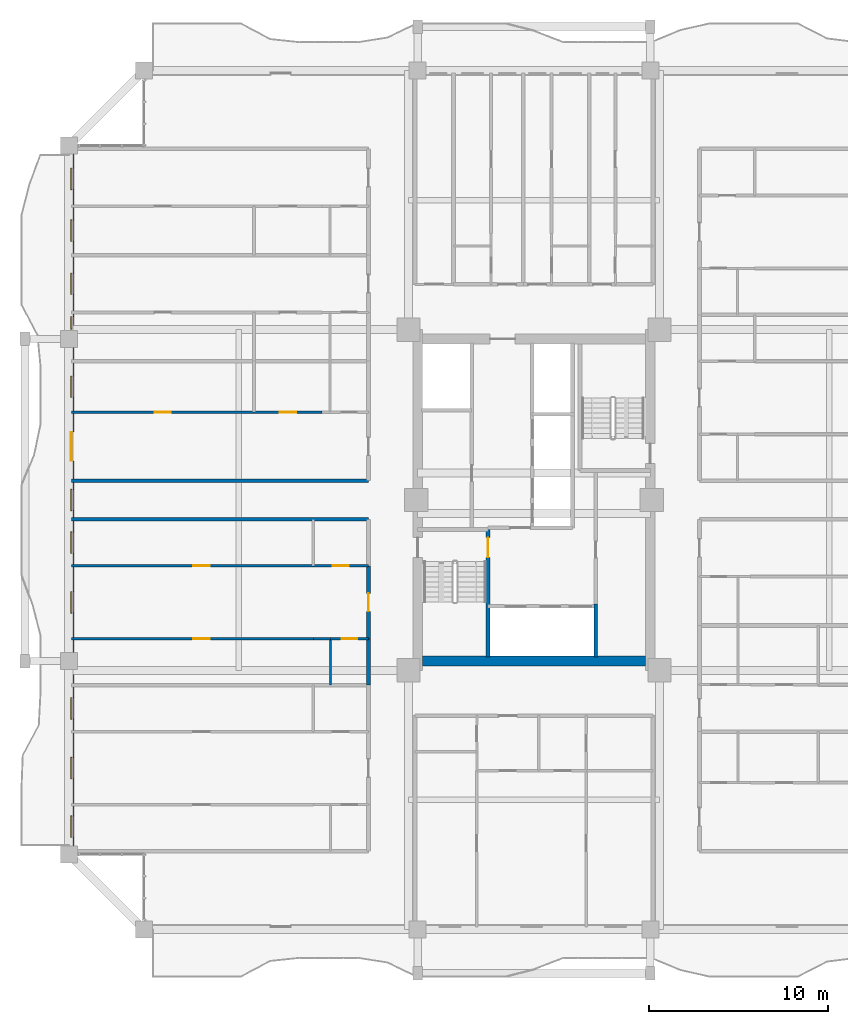
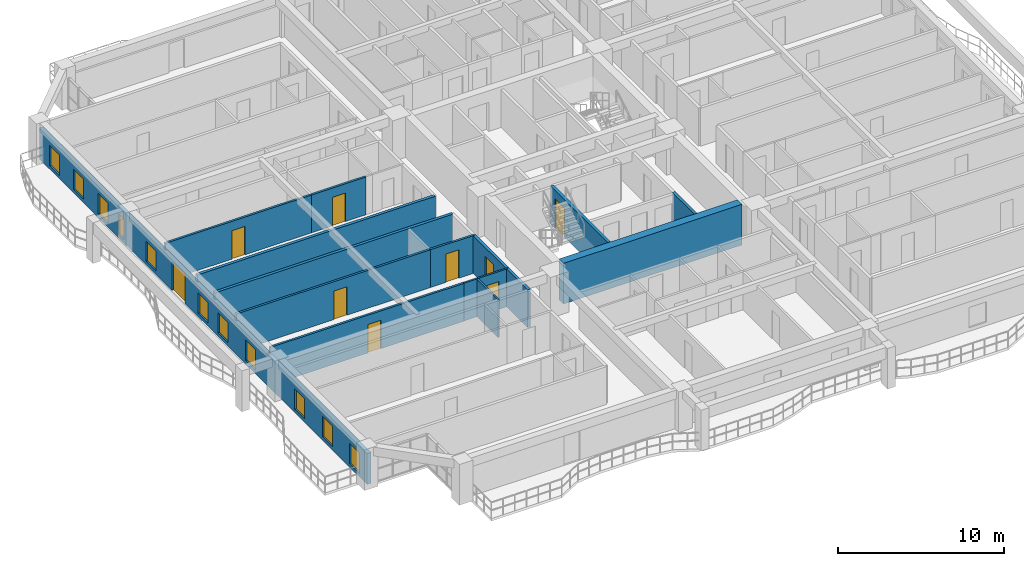
# One storey, part 15 of 26: 16 walls, 11 windows, 9 doors, 20 openings.
"""IFC4 building model written with IfcOpenShell, lengths in metres."""

from ifc_helpers import new_model, si_unit, direction, frame, frame_2d, origin, place, context, subcontext, project, spatial, rectangle, extrude, source, transform, mapped, material, layer, layer_set, type_object, element, fill, save


model = new_model("IFC4")

# Units and contexts
model_context = context("Model", 3, precision=1e-05, world=origin(), true_north=direction((0.0, 1.0)))
body_context = subcontext(model_context, "Body", "Model", "MODEL_VIEW")
ifc_project = project(units=[si_unit("LENGTHUNIT", "METRE"), si_unit("AREAUNIT", "SQUARE_METRE"), si_unit("VOLUMEUNIT", "CUBIC_METRE"), si_unit("PLANEANGLEUNIT", "RADIAN"), si_unit("MASSUNIT", "GRAM", prefix="KILO")], contexts=[model_context])

# Site, building, storey
site_placement = place(None, origin())
site = spatial("IfcSite", under=ifc_project, at=site_placement, CompositionType="ELEMENT")
building_placement = place(site_placement, origin())
building = spatial("IfcBuilding", under=site, at=building_placement, Name="Saelheon Loggia Tower", CompositionType="ELEMENT")
storey_placement = place(building_placement, frame((0.0, 0.0, 116.85009765625)))
storey = spatial("IfcBuildingStorey", under=building, at=storey_placement, Name="L37", CompositionType="ELEMENT", Elevation=116.85009765625)

# Wall
ifc_material_1 = material(Name="Concrete C50/60", Category="concrete")
ifc_layer_1 = layer(ifc_material_1, 0.550048828125)
ifc_layer_set_1 = layer_set([ifc_layer_1], Name="Concrete C50/60")
wall_type_1 = type_object("IfcWallType", Name="Wall_CoreShear_550", PredefinedType="SHEAR", material=ifc_layer_set_1)
wall_1_placement = place(storey_placement, frame((31.77490234375, 18.0, 0.0), z_axis=(0.0, 0.0, 1.0), x_axis=(1.0, 0.0, 0.0)))
element("IfcWall", 1, at=wall_1_placement, inside=storey, type_object=wall_type_1, Name="L37 Core Shear Wall South", PredefinedType="SHEAR", context=body_context, shape_type="SweptSolid", body=[
    extrude(rectangle(XDim=12.4501953125, YDim=0.550048828125, at=frame_2d((6.22509765625, 0.0))), origin(), (0.0, 0.0, 1.0), 3.0),
])

# Wall, openings, windows, door
ifc_material_2 = material(Name="Architectural Precast Concrete C40/50", Category="concrete")
ifc_layer_2 = layer(ifc_material_2, 0.280029296875)
ifc_layer_set_2 = layer_set([ifc_layer_2], Name="Architectural Precast Concrete C40/50")
wall_type_2 = type_object("IfcWallType", Name="Wall_Ext_Loggia_280", PredefinedType="SOLIDWALL", material=ifc_layer_set_2)
wall_2_placement = place(storey_placement, frame((12.139892578125, 7.199951171875, 0.0), z_axis=(0.0, 0.0, 1.0), x_axis=(0.0, 1.0, 0.0)))
wall_2 = element("IfcWall", 2, at=wall_2_placement, inside=storey, type_object=wall_type_2, Name="L37 West Loggia Inner Wall", PredefinedType="SOLIDWALL", context=body_context, shape_type="SweptSolid", body=[
    extrude(rectangle(XDim=39.60009765625, YDim=0.280029296875, at=frame_2d((19.800048828125, 0.0))), origin(), (0.0, 0.0, 1.0), 2.27978515625),
])
opening_1_placement = place(wall_2_placement, frame((0.9453125, 0.0, 0.25)))
opening_1 = element("IfcOpeningElement", 3, at=opening_1_placement, cuts=wall_2, Name="Opening WN-03", PredefinedType="OPENING", context=body_context, shape_type="SweptSolid", body=[
    extrude(rectangle(XDim=1.199951171875, YDim=1.5, at=frame_2d((0.60009765625, 0.75))), frame((0.0, 0.152099609375, 0.0), z_axis=(0.0, -1.0, 0.0), x_axis=(1.0, 0.0, 0.0)), (0.0, 0.0, 1.0), 0.303955078125),
])
opening_2_placement = place(wall_2_placement, frame((4.212890625, 0.0, 0.25)))
opening_2 = element("IfcOpeningElement", 4, at=opening_2_placement, cuts=wall_2, Name="Opening WN-03", PredefinedType="OPENING", context=body_context, shape_type="SweptSolid", body=[
    extrude(rectangle(XDim=1.199951171875, YDim=1.5, at=frame_2d((0.60009765625, 0.75))), frame((0.0, 0.152099609375, 0.0), z_axis=(0.0, -1.0, 0.0), x_axis=(1.0, 0.0, 0.0)), (0.0, 0.0, 1.0), 0.303955078125),
])
opening_3_placement = place(wall_2_placement, frame((7.550048828125, 0.0, 0.25)))
opening_3 = element("IfcOpeningElement", 5, at=opening_3_placement, cuts=wall_2, Name="Opening WN-03", PredefinedType="OPENING", context=body_context, shape_type="SweptSolid", body=[
    extrude(rectangle(XDim=1.199951171875, YDim=1.5, at=frame_2d((0.60009765625, 0.75))), frame((0.0, 0.152099609375, 0.0), z_axis=(0.0, -1.0, 0.0), x_axis=(1.0, 0.0, 0.0)), (0.0, 0.0, 1.0), 0.303955078125),
])
opening_4_placement = place(wall_2_placement, frame((13.48291015625, 0.0, 0.25)))
opening_4 = element("IfcOpeningElement", 6, at=opening_4_placement, cuts=wall_2, Name="Opening WN-03", PredefinedType="OPENING", context=body_context, shape_type="SweptSolid", body=[
    extrude(rectangle(XDim=1.199951171875, YDim=1.5, at=frame_2d((0.60009765625, 0.75))), frame((0.0, 0.152099609375, 0.0), z_axis=(0.0, -1.0, 0.0), x_axis=(1.0, 0.0, 0.0)), (0.0, 0.0, 1.0), 0.303955078125),
])
opening_5_placement = place(wall_2_placement, frame((16.820068359375, 0.0, 0.25)))
opening_5 = element("IfcOpeningElement", 7, at=opening_5_placement, cuts=wall_2, Name="Opening WN-03", PredefinedType="OPENING", context=body_context, shape_type="SweptSolid", body=[
    extrude(rectangle(XDim=1.199951171875, YDim=1.5, at=frame_2d((0.60009765625, 0.75))), frame((0.0, 0.152099609375, 0.0), z_axis=(0.0, -1.0, 0.0), x_axis=(1.0, 0.0, 0.0)), (0.0, 0.0, 1.0), 0.303955078125),
])
opening_6_placement = place(wall_2_placement, frame((19.199951171875, 0.0, 0.25)))
opening_6 = element("IfcOpeningElement", 8, at=opening_6_placement, cuts=wall_2, Name="Opening WN-03", PredefinedType="OPENING", context=body_context, shape_type="SweptSolid", body=[
    extrude(rectangle(XDim=1.199951171875, YDim=1.5, at=frame_2d((0.60009765625, 0.75))), frame((0.0, 0.152099609375, 0.0), z_axis=(0.0, -1.0, 0.0), x_axis=(1.0, 0.0, 0.0)), (0.0, 0.0, 1.0), 0.303955078125),
])
opening_7_placement = place(wall_2_placement, frame((21.9921875, 0.0, 0.0)))
opening_7 = element("IfcOpeningElement", 9, at=opening_7_placement, cuts=wall_2, Name="Opening DLG-1", PredefinedType="OPENING", context=body_context, shape_type="SweptSolid", body=[
    extrude(rectangle(XDim=1.60009765625, YDim=2.14990234375, at=frame_2d((0.800048828125, 1.074951171875))), frame((0.0, 0.152099609375, 0.0), z_axis=(0.0, -1.0, 0.0), x_axis=(1.0, 0.0, 0.0)), (0.0, 0.0, 1.0), 0.303955078125),
])
opening_8_placement = place(wall_2_placement, frame((25.529296875, 0.0, 0.25)))
opening_8 = element("IfcOpeningElement", 10, at=opening_8_placement, cuts=wall_2, Name="Opening WN-03", PredefinedType="OPENING", context=body_context, shape_type="SweptSolid", body=[
    extrude(rectangle(XDim=1.199951171875, YDim=1.5, at=frame_2d((0.60009765625, 0.75))), frame((0.0, 0.152099609375, 0.0), z_axis=(0.0, -1.0, 0.0), x_axis=(1.0, 0.0, 0.0)), (0.0, 0.0, 1.0), 0.303955078125),
])
opening_9_placement = place(wall_2_placement, frame((29.34912109375, 0.0, 0.25)))
opening_9 = element("IfcOpeningElement", 11, at=opening_9_placement, cuts=wall_2, Name="Opening WN-06", PredefinedType="OPENING", context=body_context, shape_type="SweptSolid", body=[
    extrude(rectangle(XDim=0.699951171875, YDim=1.5, at=frame_2d((0.35009765625, 0.75))), frame((0.0, 0.152099609375, 0.0), z_axis=(0.0, -1.0, 0.0), x_axis=(1.0, 0.0, 0.0)), (0.0, 0.0, 1.0), 0.303955078125),
])
opening_10_placement = place(wall_2_placement, frame((31.285400390625, 0.0, 0.25)))
opening_10 = element("IfcOpeningElement", 12, at=opening_10_placement, cuts=wall_2, Name="Opening WN-03", PredefinedType="OPENING", context=body_context, shape_type="SweptSolid", body=[
    extrude(rectangle(XDim=1.199951171875, YDim=1.5, at=frame_2d((0.60009765625, 0.75))), frame((0.0, 0.152099609375, 0.0), z_axis=(0.0, -1.0, 0.0), x_axis=(1.0, 0.0, 0.0)), (0.0, 0.0, 1.0), 0.303955078125),
])
opening_11_placement = place(wall_2_placement, frame((34.251708984375, 0.0, 0.25)))
opening_11 = element("IfcOpeningElement", 13, at=opening_11_placement, cuts=wall_2, Name="Opening WN-03", PredefinedType="OPENING", context=body_context, shape_type="SweptSolid", body=[
    extrude(rectangle(XDim=1.199951171875, YDim=1.5, at=frame_2d((0.60009765625, 0.75))), frame((0.0, 0.152099609375, 0.0), z_axis=(0.0, -1.0, 0.0), x_axis=(1.0, 0.0, 0.0)), (0.0, 0.0, 1.0), 0.303955078125),
])
opening_12_placement = place(wall_2_placement, frame((37.150634765625, 0.0, 0.25)))
opening_12 = element("IfcOpeningElement", 14, at=opening_12_placement, cuts=wall_2, Name="Opening WN-03", PredefinedType="OPENING", context=body_context, shape_type="SweptSolid", body=[
    extrude(rectangle(XDim=1.199951171875, YDim=1.5, at=frame_2d((0.60009765625, 0.75))), frame((0.0, 0.152099609375, 0.0), z_axis=(0.0, -1.0, 0.0), x_axis=(1.0, 0.0, 0.0)), (0.0, 0.0, 1.0), 0.303955078125),
])
ifc_material_3 = material(Name="Thermal-Break Aluminium and Triple Low-E Glass", Category="aluminium")
window_type_1 = type_object("IfcWindowType", Name="Win_Slot_700x1500", PartitioningType="SINGLE_PANEL", PredefinedType="WINDOW", material=ifc_material_3)
shared_shape_1 = source(origin(), body_context, "Body", "SweptSolid", [
    extrude(rectangle(XDim=0.699951171875, YDim=1.5, at=frame_2d((0.35009765625, 0.75))), frame((0.0, 0.030029296875, 0.0), z_axis=(0.0, -1.0, 0.0), x_axis=(1.0, 0.0, 0.0)), (0.0, 0.0, 1.0), 0.06005859375),
])
window_1_placement = place(opening_9_placement, origin())
window_1 = element("IfcWindow", 15, at=window_1_placement, inside=storey, type_object=window_type_1, Name="L37 W Dwelling Window 9", OverallHeight=1.5, OverallWidth=0.699951171875, PartitioningType="SINGLE_PANEL", PredefinedType="WINDOW", context=body_context, shape_type="MappedRepresentation", body=[
    mapped(shared_shape_1, transform((0.0, 0.0, 0.0), scale=1.0)),
])
fill(opening_9, window_1)
window_type_2 = type_object("IfcWindowType", Name="Win_Bedroom_1200x1500", PartitioningType="SINGLE_PANEL", PredefinedType="WINDOW", material=ifc_material_3)
shared_shape_2 = source(origin(), body_context, "Body", "SweptSolid", [
    extrude(rectangle(XDim=1.199951171875, YDim=1.5, at=frame_2d((0.60009765625, 0.75))), frame((0.0, 0.030029296875, 0.0), z_axis=(0.0, -1.0, 0.0), x_axis=(1.0, 0.0, 0.0)), (0.0, 0.0, 1.0), 0.06005859375),
])
window_2_placement = place(opening_1_placement, origin())
window_2 = element("IfcWindow", 16, at=window_2_placement, inside=storey, type_object=window_type_2, Name="L37 W Dwelling Window 1", OverallHeight=1.5, OverallWidth=1.199951171875, PartitioningType="SINGLE_PANEL", PredefinedType="WINDOW", context=body_context, shape_type="MappedRepresentation", body=[
    mapped(shared_shape_2, transform((0.0, 0.0, 0.0), scale=1.0)),
])
fill(opening_1, window_2)
window_3_placement = place(opening_2_placement, origin())
window_3 = element("IfcWindow", 17, at=window_3_placement, inside=storey, type_object=window_type_2, Name="L37 W Dwelling Window 2", OverallHeight=1.5, OverallWidth=1.199951171875, PartitioningType="SINGLE_PANEL", PredefinedType="WINDOW", context=body_context, shape_type="MappedRepresentation", body=[
    mapped(shared_shape_2, transform((0.0, 0.0, 0.0), scale=1.0)),
])
fill(opening_2, window_3)
window_4_placement = place(opening_3_placement, origin())
window_4 = element("IfcWindow", 18, at=window_4_placement, inside=storey, type_object=window_type_2, Name="L37 W Dwelling Window 3", OverallHeight=1.5, OverallWidth=1.199951171875, PartitioningType="SINGLE_PANEL", PredefinedType="WINDOW", context=body_context, shape_type="MappedRepresentation", body=[
    mapped(shared_shape_2, transform((0.0, 0.0, 0.0), scale=1.0)),
])
fill(opening_3, window_4)
window_5_placement = place(opening_4_placement, origin())
window_5 = element("IfcWindow", 19, at=window_5_placement, inside=storey, type_object=window_type_2, Name="L37 W Dwelling Window 4", OverallHeight=1.5, OverallWidth=1.199951171875, PartitioningType="SINGLE_PANEL", PredefinedType="WINDOW", context=body_context, shape_type="MappedRepresentation", body=[
    mapped(shared_shape_2, transform((0.0, 0.0, 0.0), scale=1.0)),
])
fill(opening_4, window_5)
window_6_placement = place(opening_5_placement, origin())
window_6 = element("IfcWindow", 20, at=window_6_placement, inside=storey, type_object=window_type_2, Name="L37 W Dwelling Window 5", OverallHeight=1.5, OverallWidth=1.199951171875, PartitioningType="SINGLE_PANEL", PredefinedType="WINDOW", context=body_context, shape_type="MappedRepresentation", body=[
    mapped(shared_shape_2, transform((0.0, 0.0, 0.0), scale=1.0)),
])
fill(opening_5, window_6)
window_7_placement = place(opening_6_placement, origin())
window_7 = element("IfcWindow", 21, at=window_7_placement, inside=storey, type_object=window_type_2, Name="L37 W Dwelling Window 6", OverallHeight=1.5, OverallWidth=1.199951171875, PartitioningType="SINGLE_PANEL", PredefinedType="WINDOW", context=body_context, shape_type="MappedRepresentation", body=[
    mapped(shared_shape_2, transform((0.0, 0.0, 0.0), scale=1.0)),
])
fill(opening_6, window_7)
window_8_placement = place(opening_8_placement, origin())
window_8 = element("IfcWindow", 22, at=window_8_placement, inside=storey, type_object=window_type_2, Name="L37 W Dwelling Window 8", OverallHeight=1.5, OverallWidth=1.199951171875, PartitioningType="SINGLE_PANEL", PredefinedType="WINDOW", context=body_context, shape_type="MappedRepresentation", body=[
    mapped(shared_shape_2, transform((0.0, 0.0, 0.0), scale=1.0)),
])
fill(opening_8, window_8)
window_9_placement = place(opening_10_placement, origin())
window_9 = element("IfcWindow", 23, at=window_9_placement, inside=storey, type_object=window_type_2, Name="L37 W Dwelling Window 10", OverallHeight=1.5, OverallWidth=1.199951171875, PartitioningType="SINGLE_PANEL", PredefinedType="WINDOW", context=body_context, shape_type="MappedRepresentation", body=[
    mapped(shared_shape_2, transform((0.0, 0.0, 0.0), scale=1.0)),
])
fill(opening_10, window_9)
window_10_placement = place(opening_11_placement, origin())
window_10 = element("IfcWindow", 24, at=window_10_placement, inside=storey, type_object=window_type_2, Name="L37 W Dwelling Window 11", OverallHeight=1.5, OverallWidth=1.199951171875, PartitioningType="SINGLE_PANEL", PredefinedType="WINDOW", context=body_context, shape_type="MappedRepresentation", body=[
    mapped(shared_shape_2, transform((0.0, 0.0, 0.0), scale=1.0)),
])
fill(opening_11, window_10)
window_11_placement = place(opening_12_placement, origin())
window_11 = element("IfcWindow", 25, at=window_11_placement, inside=storey, type_object=window_type_2, Name="L37 W Dwelling Window 12", OverallHeight=1.5, OverallWidth=1.199951171875, PartitioningType="SINGLE_PANEL", PredefinedType="WINDOW", context=body_context, shape_type="MappedRepresentation", body=[
    mapped(shared_shape_2, transform((0.0, 0.0, 0.0), scale=1.0)),
])
fill(opening_12, window_11)
ifc_material_4 = material(Name="Thermal-Break Aluminium Sliding Glazed Door", Category="aluminium")
door_type_1 = type_object("IfcDoorType", Name="Door_LoggiaSlide_1600", OperationType="SLIDING_TO_LEFT", PredefinedType="DOOR", material=ifc_material_4)
shared_shape_3 = source(origin(), body_context, "Body", "SweptSolid", [
    extrude(rectangle(XDim=1.60009765625, YDim=2.14990234375, at=frame_2d((0.800048828125, 1.074951171875))), frame((0.0, 0.02490234375, 0.0), z_axis=(0.0, -1.0, 0.0), x_axis=(1.0, 0.0, 0.0)), (0.0, 0.0, 1.0), 0.050048828125),
])
door_1_placement = place(opening_7_placement, origin())
door_1 = element("IfcDoor", 26, at=door_1_placement, inside=storey, type_object=door_type_1, Name="L37 W Loggia Access Door", OperationType="SLIDING_TO_LEFT", OverallHeight=2.14990234375, OverallWidth=1.60009765625, PredefinedType="DOOR", context=body_context, shape_type="MappedRepresentation", body=[
    mapped(shared_shape_3, transform((0.0, 0.0, 0.0), scale=1.0)),
])
fill(opening_7, door_1)

# Wall, opening, door
ifc_material_5 = material(Name="Lightweight Autoclaved Aerated Concrete Block and Acoustic Gypsum", Category="concrete")
ifc_layer_3 = layer(ifc_material_5, 0.14990234375)
ifc_layer_set_3 = layer_set([ifc_layer_3], Name="Lightweight Autoclaved Aerated Concrete Block and Acoustic Gypsum")
wall_type_3 = type_object("IfcWallType", Name="Wall_Part_150", PredefinedType="PARTITIONING", material=ifc_layer_set_3)
wall_3_placement = place(storey_placement, frame((25.669921875, 19.24560546875, 0.0), z_axis=(0.0, 0.0, 1.0), x_axis=(-1.0, 0.0, 0.0)))
wall_3 = element("IfcWall", 27, at=wall_3_placement, inside=storey, type_object=wall_type_3, Name="L37 WS Partition U21", PredefinedType="PARTITIONING", context=body_context, shape_type="SweptSolid", body=[
    extrude(rectangle(XDim=13.52001953125, YDim=0.14990234375, at=frame_2d((6.760009765625, 0.0))), origin(), (0.0, 0.0, 1.0), 2.789794921875),
])
opening_13_placement = place(wall_3_placement, frame((5.80419921875, 0.0, 0.0)))
opening_13 = element("IfcOpeningElement", 28, at=opening_13_placement, cuts=wall_3, Name="Opening D-IN2", PredefinedType="OPENING", context=body_context, shape_type="SweptSolid", body=[
    extrude(rectangle(XDim=0.89990234375, YDim=2.10009765625, at=frame_2d((0.449951171875, 1.050048828125))), frame((0.0, 0.0869140625, 0.0), z_axis=(0.0, -1.0, 0.0), x_axis=(1.0, 0.0, 0.0)), (0.0, 0.0, 1.0), 0.173828125),
])
ifc_material_6 = material(Name="Engineered Oak Flush Door", Category="timber")
door_type_2 = type_object("IfcDoorType", Name="Door_Int_900", OperationType="NOTDEFINED", PredefinedType="DOOR", material=ifc_material_6)
shared_shape_4 = source(origin(), body_context, "Body", "SweptSolid", [
    extrude(rectangle(XDim=0.89990234375, YDim=2.10009765625, at=frame_2d((0.449951171875, 1.050048828125))), frame((0.0, 0.02490234375, 0.0), z_axis=(0.0, -1.0, 0.0), x_axis=(1.0, 0.0, 0.0)), (0.0, 0.0, 1.0), 0.050048828125),
])
door_2_placement = place(opening_13_placement, origin())
door_2 = element("IfcDoor", 29, at=door_2_placement, inside=storey, type_object=door_type_2, Name="Unit U06 Kitchen Door", OperationType="SINGLE_SWING_RIGHT", OverallHeight=2.10009765625, OverallWidth=0.89990234375, PredefinedType="DOOR", context=body_context, shape_type="MappedRepresentation", body=[
    mapped(shared_shape_4, transform((0.0, 0.0, 0.0), scale=1.0)),
])
fill(opening_13, door_2)

wall_4_placement = place(storey_placement, frame((28.75, 23.320068359375, 0.0), z_axis=(0.0, 0.0, 1.0), x_axis=(-1.0, 0.0, 0.0)))
wall_4 = element("IfcWall", 30, at=wall_4_placement, inside=storey, type_object=wall_type_3, Name="L37 WS Partition U22", PredefinedType="PARTITIONING", context=body_context, shape_type="SweptSolid", body=[
    extrude(rectangle(XDim=3.080078125, YDim=0.14990234375, at=frame_2d((1.5400390625, 0.0))), origin(), (0.0, 0.0, 1.0), 2.789794921875),
])
opening_14_placement = place(wall_4_placement, frame((1.090087890625, 0.0, 0.0)))
opening_14 = element("IfcOpeningElement", 31, at=opening_14_placement, cuts=wall_4, Name="Opening D-IN2", PredefinedType="OPENING", context=body_context, shape_type="SweptSolid", body=[
    extrude(rectangle(XDim=0.89990234375, YDim=2.10009765625, at=frame_2d((0.449951171875, 1.050048828125))), frame((0.0, 0.0869140625, 0.0), z_axis=(0.0, -1.0, 0.0), x_axis=(1.0, 0.0, 0.0)), (0.0, 0.0, 1.0), 0.173828125),
])
door_3_placement = place(opening_14_placement, origin())
door_3 = element("IfcDoor", 32, at=door_3_placement, inside=storey, type_object=door_type_2, Name="Unit U06 Dressing Closet Door", OperationType="SINGLE_SWING_LEFT", OverallHeight=2.10009765625, OverallWidth=0.89990234375, PredefinedType="DOOR", context=body_context, shape_type="MappedRepresentation", body=[
    mapped(shared_shape_4, transform((0.0, 0.0, 0.0), scale=1.0)),
])
fill(opening_14, door_3)

wall_5_placement = place(storey_placement, frame((25.669921875, 23.320068359375, 0.0), z_axis=(0.0, 0.0, 1.0), x_axis=(-1.0, 0.0, 0.0)))
wall_5 = element("IfcWall", 33, at=wall_5_placement, inside=storey, type_object=wall_type_3, Name="L37 WS Partition U23", PredefinedType="PARTITIONING", context=body_context, shape_type="SweptSolid", body=[
    extrude(rectangle(XDim=13.52001953125, YDim=0.14990234375, at=frame_2d((6.760009765625, 0.0))), origin(), (0.0, 0.0, 1.0), 2.789794921875),
])
opening_15_placement = place(wall_5_placement, frame((5.80419921875, 0.0, 0.0)))
opening_15 = element("IfcOpeningElement", 34, at=opening_15_placement, cuts=wall_5, Name="Opening D-IN2", PredefinedType="OPENING", context=body_context, shape_type="SweptSolid", body=[
    extrude(rectangle(XDim=0.89990234375, YDim=2.10009765625, at=frame_2d((0.449951171875, 1.050048828125))), frame((0.0, 0.0869140625, 0.0), z_axis=(0.0, -1.0, 0.0), x_axis=(1.0, 0.0, 0.0)), (0.0, 0.0, 1.0), 0.173828125),
])
door_4_placement = place(opening_15_placement, origin())
door_4 = element("IfcDoor", 35, at=door_4_placement, inside=storey, type_object=door_type_2, Name="Unit U06 Bedroom 1 Door", OperationType="SINGLE_SWING_RIGHT", OverallHeight=2.10009765625, OverallWidth=0.89990234375, PredefinedType="DOOR", context=body_context, shape_type="MappedRepresentation", body=[
    mapped(shared_shape_4, transform((0.0, 0.0, 0.0), scale=1.0)),
])
fill(opening_15, door_4)

wall_6_placement = place(storey_placement, frame((26.14990234375, 31.904296875, 0.0), z_axis=(0.0, 0.0, 1.0), x_axis=(-1.0, 0.0, 0.0)))
wall_6 = element("IfcWall", 36, at=wall_6_placement, inside=storey, type_object=wall_type_3, Name="L37 WN Partition U09", PredefinedType="PARTITIONING", context=body_context, shape_type="SweptSolid", body=[
    extrude(rectangle(XDim=3.7998046875, YDim=0.14990234375, at=frame_2d((1.89990234375, 0.0))), origin(), (0.0, 0.0, 1.0), 2.789794921875),
])
opening_16_placement = place(wall_6_placement, frame((1.449951171875, 0.0, 0.0)))
opening_16 = element("IfcOpeningElement", 37, at=opening_16_placement, cuts=wall_6, Name="Opening D-IN2", PredefinedType="OPENING", context=body_context, shape_type="SweptSolid", body=[
    extrude(rectangle(XDim=0.89990234375, YDim=2.10009765625, at=frame_2d((0.449951171875, 1.050048828125))), frame((0.0, 0.0869140625, 0.0), z_axis=(0.0, -1.0, 0.0), x_axis=(1.0, 0.0, 0.0)), (0.0, 0.0, 1.0), 0.173828125),
])
door_5_placement = place(opening_16_placement, origin())
door_5 = element("IfcDoor", 38, at=door_5_placement, inside=storey, type_object=door_type_2, Name="Unit U07 Kitchen Door", OperationType="SINGLE_SWING_LEFT", OverallHeight=2.10009765625, OverallWidth=0.89990234375, PredefinedType="DOOR", context=body_context, shape_type="MappedRepresentation", body=[
    mapped(shared_shape_4, transform((0.0, 0.0, 0.0), scale=1.0)),
])
fill(opening_16, door_5)

wall_7_placement = place(storey_placement, frame((22.35009765625, 31.904296875, 0.0), z_axis=(0.0, 0.0, 1.0), x_axis=(-1.0, 0.0, 0.0)))
wall_7 = element("IfcWall", 39, at=wall_7_placement, inside=storey, type_object=wall_type_3, Name="L37 WN Partition U10", PredefinedType="PARTITIONING", context=body_context, shape_type="SweptSolid", body=[
    extrude(rectangle(XDim=10.2001953125, YDim=0.14990234375, at=frame_2d((5.10009765625, 0.0))), origin(), (0.0, 0.0, 1.0), 2.789794921875),
])
opening_17_placement = place(wall_7_placement, frame((4.64990234375, 0.0, 0.0)))
opening_17 = element("IfcOpeningElement", 40, at=opening_17_placement, cuts=wall_7, Name="Opening D-IN2", PredefinedType="OPENING", context=body_context, shape_type="SweptSolid", body=[
    extrude(rectangle(XDim=0.89990234375, YDim=2.10009765625, at=frame_2d((0.449951171875, 1.050048828125))), frame((0.0, 0.0869140625, 0.0), z_axis=(0.0, -1.0, 0.0), x_axis=(1.0, 0.0, 0.0)), (0.0, 0.0, 1.0), 0.173828125),
])
door_6_placement = place(opening_17_placement, origin())
door_6 = element("IfcDoor", 41, at=door_6_placement, inside=storey, type_object=door_type_2, Name="Unit U07 Bedroom 1 Door", OperationType="SINGLE_SWING_RIGHT", OverallHeight=2.10009765625, OverallWidth=0.89990234375, PredefinedType="DOOR", context=body_context, shape_type="MappedRepresentation", body=[
    mapped(shared_shape_4, transform((0.0, 0.0, 0.0), scale=1.0)),
])
fill(opening_17, door_6)

# Walls
ifc_material_7 = material(Name="Double Acoustic Stud and Fireboard Partition", Category="gypsum")
ifc_layer_4 = layer(ifc_material_7, 0.199951171875)
ifc_layer_set_4 = layer_set([ifc_layer_4], Name="Double Acoustic Stud and Fireboard Partition")
wall_type_4 = type_object("IfcWallType", Name="Wall_Party_200", PredefinedType="PARTITIONING", material=ifc_layer_set_4)
wall_8_placement = place(storey_placement, frame((28.75, 25.919921875, 0.0), z_axis=(0.0, 0.0, 1.0), x_axis=(-1.0, 0.0, 0.0)))
element("IfcWall", 42, at=wall_8_placement, inside=storey, type_object=wall_type_4, Name="L37 WS Partition U02", PredefinedType="PARTITIONING", context=body_context, shape_type="SweptSolid", body=[
    extrude(rectangle(XDim=16.60009765625, YDim=0.199951171875, at=frame_2d((8.300048828125, 0.0))), origin(), (0.0, 0.0, 1.0), 2.789794921875),
])
wall_9_placement = place(storey_placement, frame((28.75, 16.64990234375, 0.0), z_axis=(0.0, 0.0, 1.0), x_axis=(0.0, 1.0, 0.0)))
element("IfcWall", 43, at=wall_9_placement, inside=storey, type_object=wall_type_4, Name="L37 WS Partition V14", PredefinedType="PARTITIONING", context=body_context, shape_type="SweptSolid", body=[
    extrude(rectangle(XDim=2.595703125, YDim=0.199951171875, at=frame_2d((1.2978515625, 0.0))), origin(), (0.0, 0.0, 1.0), 2.789794921875),
])

# Wall, opening, door
wall_10_placement = place(storey_placement, frame((28.75, 19.24560546875, 0.0), z_axis=(0.0, 0.0, 1.0), x_axis=(0.0, 1.0, 0.0)))
wall_10 = element("IfcWall", 44, at=wall_10_placement, inside=storey, type_object=wall_type_4, Name="L37 WS Partition V15", PredefinedType="PARTITIONING", context=body_context, shape_type="SweptSolid", body=[
    extrude(rectangle(XDim=4.074462890625, YDim=0.199951171875, at=frame_2d((2.037109375, 0.0))), origin(), (0.0, 0.0, 1.0), 2.789794921875),
])
opening_18_placement = place(wall_10_placement, frame((1.537109375, 0.0, 0.0)))
opening_18 = element("IfcOpeningElement", 45, at=opening_18_placement, cuts=wall_10, Name="Opening D-FD1", PredefinedType="OPENING", context=body_context, shape_type="SweptSolid", body=[
    extrude(rectangle(XDim=1.0, YDim=2.14990234375, at=frame_2d((0.5, 1.074951171875))), frame((0.0, 0.112060546875, 0.0), z_axis=(0.0, -1.0, 0.0), x_axis=(1.0, 0.0, 0.0)), (0.0, 0.0, 1.0), 0.223876953125),
])
ifc_material_8 = material(Name="Fire-Rated Engineered Timber Entrance Door", Category="wood")
door_type_3 = type_object("IfcDoorType", Name="Door_Flat_FD30S", OperationType="NOTDEFINED", PredefinedType="DOOR", material=ifc_material_8)
shared_shape_5 = source(origin(), body_context, "Body", "SweptSolid", [
    extrude(rectangle(XDim=1.0, YDim=2.14990234375, at=frame_2d((0.5, 1.074951171875))), frame((0.0, 0.02490234375, 0.0), z_axis=(0.0, -1.0, 0.0), x_axis=(1.0, 0.0, 0.0)), (0.0, 0.0, 1.0), 0.050048828125),
])
door_7_placement = place(opening_18_placement, origin())
door_7 = element("IfcDoor", 46, at=door_7_placement, inside=storey, type_object=door_type_3, Name="Unit U06 Entrance Door", OperationType="SINGLE_SWING_RIGHT", OverallHeight=2.14990234375, OverallWidth=1.0, PredefinedType="DOOR", context=body_context, shape_type="MappedRepresentation", body=[
    mapped(shared_shape_5, transform((0.0, 0.0, 0.0), scale=1.0)),
])
fill(opening_18, door_7)

# Walls
wall_11_placement = place(storey_placement, frame((28.75, 28.080078125, 0.0), z_axis=(0.0, 0.0, 1.0), x_axis=(-1.0, 0.0, 0.0)))
element("IfcWall", 47, at=wall_11_placement, inside=storey, type_object=wall_type_4, Name="L37 WN Partition U01", PredefinedType="PARTITIONING", context=body_context, shape_type="SweptSolid", body=[
    extrude(rectangle(XDim=16.60009765625, YDim=0.199951171875, at=frame_2d((8.300048828125, 0.0))), origin(), (0.0, 0.0, 1.0), 2.789794921875),
])
ifc_material_9 = material(Name="Concrete C40/50", Category="concrete")
ifc_layer_5 = layer(ifc_material_9, 0.199951171875)
ifc_layer_set_5 = layer_set([ifc_layer_5], Name="Concrete C40/50")
wall_type_5 = type_object("IfcWallType", Name="Wall_Shaft_200", PredefinedType="PARTITIONING", material=ifc_layer_set_5)
wall_12_placement = place(storey_placement, frame((41.449951171875, 18.219970703125, 0.0), z_axis=(0.0, 0.0, 1.0), x_axis=(0.0, 1.0, 0.0)))
element("IfcWall", 48, at=wall_12_placement, inside=storey, type_object=wall_type_5, Name="CW-INT-L37-BOH-W0", PredefinedType="PARTITIONING", context=body_context, shape_type="SweptSolid", body=[
    extrude(rectangle(XDim=2.9599609375, YDim=0.199951171875, at=frame_2d((1.47998046875, 0.0))), origin(), (0.0, 0.0, 1.0), 2.789794921875),
])

# Wall, opening, door
ifc_material_10 = material(Name="Concrete C45/55", Category="concrete")
ifc_layer_6 = layer(ifc_material_10, 0.199951171875)
ifc_layer_set_6 = layer_set([ifc_layer_6], Name="Concrete C45/55")
wall_type_6 = type_object("IfcWallType", Name="Wall_StairShaft_RC200", PredefinedType="SOLIDWALL", material=ifc_layer_set_6)
wall_13_placement = place(storey_placement, frame((35.429931640625, 18.219970703125, 0.0), z_axis=(0.0, 0.0, 1.0), x_axis=(0.0, 1.0, 0.0)))
wall_13 = element("IfcWall", 49, at=wall_13_placement, inside=storey, type_object=wall_type_6, Name="L37 Stair ST1 Shaft Wall", PredefinedType="SOLIDWALL", context=body_context, shape_type="SweptSolid", body=[
    extrude(rectangle(XDim=7.219970703125, YDim=0.199951171875, at=frame_2d((3.60986328125, 0.0))), origin(), (0.0, 0.0, 1.0), 2.789794921875),
])
opening_19_placement = place(wall_13_placement, frame((6.68017578125, 0.0, 0.0), z_axis=(0.0, 0.0, 1.0), x_axis=(-1.0, 0.0, 0.0)))
opening_19 = element("IfcOpeningElement", 50, at=opening_19_placement, cuts=wall_13, Name="Opening D-FD2", PredefinedType="OPENING", context=body_context, shape_type="SweptSolid", body=[
    extrude(rectangle(XDim=1.10009765625, YDim=2.14990234375, at=frame_2d((0.550048828125, 1.074951171875))), frame((0.0, 0.112060546875, 0.0), z_axis=(0.0, -1.0, 0.0), x_axis=(1.0, 0.0, 0.0)), (0.0, 0.0, 1.0), 0.223876953125),
])
ifc_material_11 = material(Name="Galvanised Steel Fire Door", Category="steel")
door_type_4 = type_object("IfcDoorType", Name="Door_Fire_FD60_1100", OperationType="NOTDEFINED", PredefinedType="DOOR", material=ifc_material_11)
shared_shape_6 = source(origin(), body_context, "Body", "SweptSolid", [
    extrude(rectangle(XDim=1.10009765625, YDim=2.14990234375, at=frame_2d((0.550048828125, 1.074951171875))), frame((0.0, 0.02490234375, 0.0), z_axis=(0.0, -1.0, 0.0), x_axis=(1.0, 0.0, 0.0)), (0.0, 0.0, 1.0), 0.050048828125),
])
door_8_placement = place(opening_19_placement, origin())
door_8 = element("IfcDoor", 51, at=door_8_placement, inside=storey, type_object=door_type_4, Name="L37 Stair ST1 Lobby Door", OperationType="SINGLE_SWING_RIGHT", OverallHeight=2.14990234375, OverallWidth=1.10009765625, PredefinedType="DOOR", context=body_context, shape_type="MappedRepresentation", body=[
    mapped(shared_shape_6, transform((0.0, 0.0, 0.0), scale=1.0)),
])
fill(opening_19, door_8)

# Wall
ifc_material_12 = material(Name="Moisture-Resistant Cement Board Partition", Category="gypsum")
ifc_layer_7 = layer(ifc_material_12, 0.1201171875)
ifc_layer_set_7 = layer_set([ifc_layer_7], Name="Moisture-Resistant Cement Board Partition")
wall_type_7 = type_object("IfcWallType", Name="Wall_WetPart_120", PredefinedType="PARTITIONING", material=ifc_layer_set_7)
wall_14_placement = place(storey_placement, frame((26.6298828125, 16.64990234375, 0.0), z_axis=(0.0, 0.0, 1.0), x_axis=(0.0, 1.0, 0.0)))
element("IfcWall", 52, at=wall_14_placement, inside=storey, type_object=wall_type_7, Name="L37 WS Partition V17", PredefinedType="PARTITIONING", context=body_context, shape_type="SweptSolid", body=[
    extrude(rectangle(XDim=2.595703125, YDim=0.1201171875, at=frame_2d((1.2978515625, 0.0))), origin(), (0.0, 0.0, 1.0), 2.789794921875),
])

# Wall, opening, door
wall_15_placement = place(storey_placement, frame((28.75, 19.24560546875, 0.0), z_axis=(0.0, 0.0, 1.0), x_axis=(-1.0, 0.0, 0.0)))
wall_15 = element("IfcWall", 53, at=wall_15_placement, inside=storey, type_object=wall_type_7, Name="L37 WS Partition U19", PredefinedType="PARTITIONING", context=body_context, shape_type="SweptSolid", body=[
    extrude(rectangle(XDim=2.1201171875, YDim=0.1201171875, at=frame_2d((1.06005859375, 0.0))), origin(), (0.0, 0.0, 1.0), 2.789794921875),
])
opening_20_placement = place(wall_15_placement, frame((0.635009765625, 0.0, 0.0)))
opening_20 = element("IfcOpeningElement", 54, at=opening_20_placement, cuts=wall_15, Name="Opening D-BT1", PredefinedType="OPENING", context=body_context, shape_type="SweptSolid", body=[
    extrude(rectangle(XDim=0.85009765625, YDim=2.050048828125, at=frame_2d((0.425048828125, 1.02490234375))), frame((0.0, 0.072021484375, 0.0), z_axis=(0.0, -1.0, 0.0), x_axis=(1.0, 0.0, 0.0)), (0.0, 0.0, 1.0), 0.14404296875),
])
ifc_material_13 = material(Name="Moisture-Resistant Laminate Timber Door", Category="wood")
door_type_5 = type_object("IfcDoorType", Name="Door_Bath_850", OperationType="NOTDEFINED", PredefinedType="DOOR", material=ifc_material_13)
shared_shape_7 = source(origin(), body_context, "Body", "SweptSolid", [
    extrude(rectangle(XDim=0.85009765625, YDim=2.050048828125, at=frame_2d((0.425048828125, 1.02490234375))), frame((0.0, 0.02490234375, 0.0), z_axis=(0.0, -1.0, 0.0), x_axis=(1.0, 0.0, 0.0)), (0.0, 0.0, 1.0), 0.050048828125),
])
door_9_placement = place(opening_20_placement, origin())
door_9 = element("IfcDoor", 55, at=door_9_placement, inside=storey, type_object=door_type_5, Name="Unit U06 Bathroom Door", OperationType="SINGLE_SWING_LEFT", OverallHeight=2.050048828125, OverallWidth=0.85009765625, PredefinedType="DOOR", context=body_context, shape_type="MappedRepresentation", body=[
    mapped(shared_shape_7, transform((0.0, 0.0, 0.0), scale=1.0)),
])
fill(opening_20, door_9)

# Wall
wall_16_placement = place(storey_placement, frame((26.6298828125, 19.24560546875, 0.0), z_axis=(0.0, 0.0, 1.0), x_axis=(-1.0, 0.0, 0.0)))
element("IfcWall", 56, at=wall_16_placement, inside=storey, type_object=wall_type_7, Name="L37 WS Partition U20", PredefinedType="PARTITIONING", context=body_context, shape_type="SweptSolid", body=[
    extrude(rectangle(XDim=0.9599609375, YDim=0.1201171875, at=frame_2d((0.47998046875, 0.0))), origin(), (0.0, 0.0, 1.0), 2.789794921875),
])

save(model, "model.ifc")
